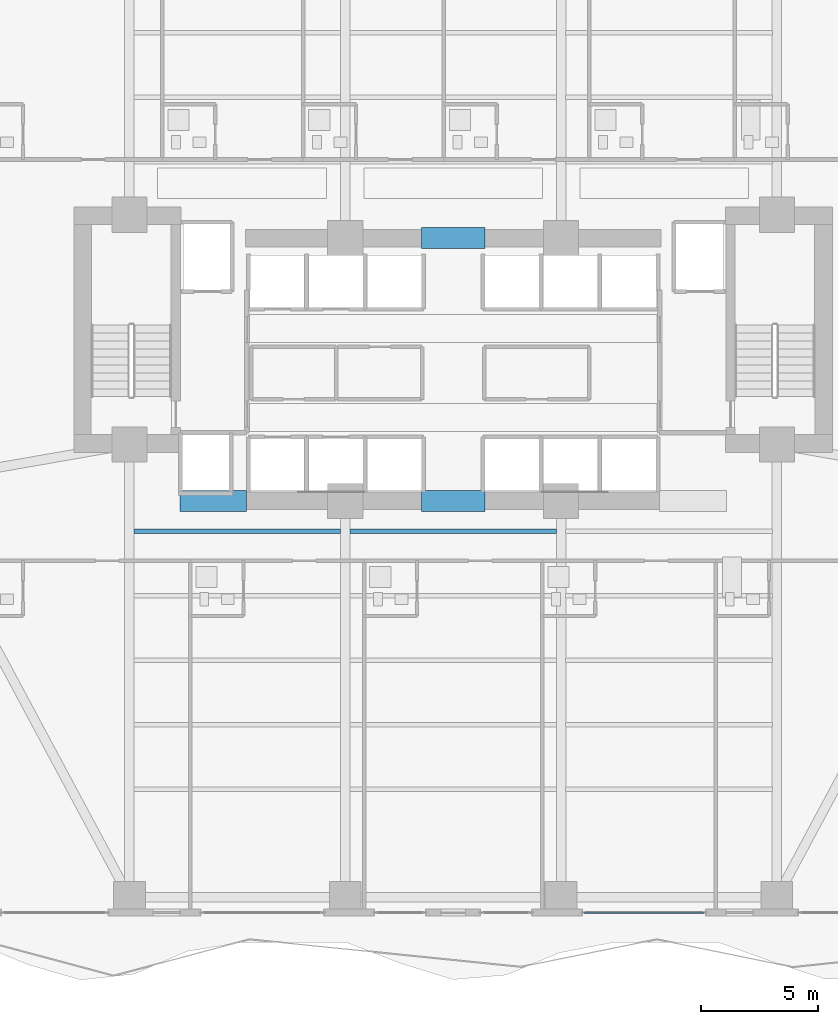
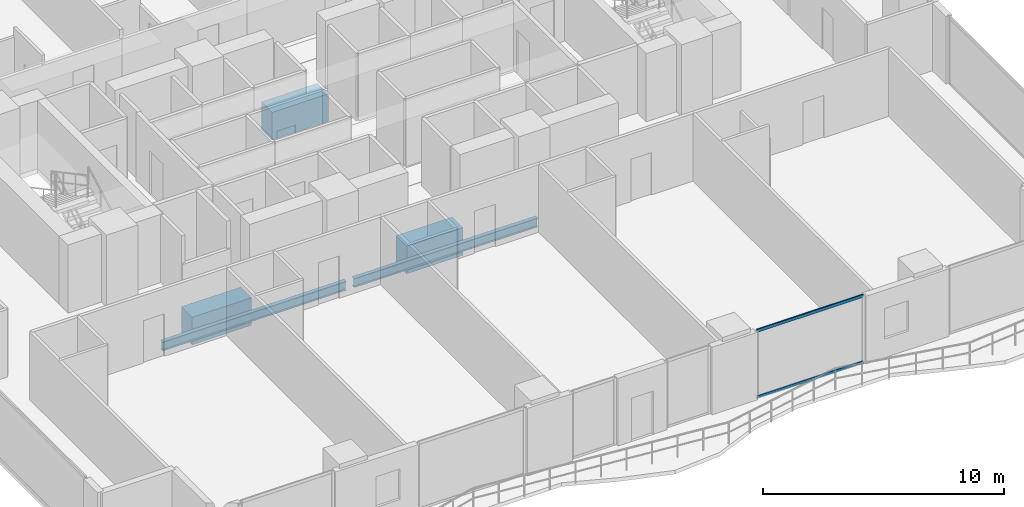
# One storey, part 8 of 29: 5 beams, 2 members, 1 element without a shape of its own.
"""IFC4 building model written with IfcOpenShell, lengths in metres."""

from ifc_helpers import new_model, si_unit, direction, frame, origin, origin_2d, place, context, subcontext, project, spatial, rectangle, hollow_rectangle, i_section, extrude, material, layer, layer_set, material_profile, profile_set, type_object, element, aggregate, save


model = new_model("IFC4")

# Units and contexts
model_context = context("Model", 3, precision=1e-05, world=origin(), true_north=direction((0.0, 1.0)))
body_context = subcontext(model_context, "Body", "Model", "MODEL_VIEW")
ifc_project = project(units=[si_unit("LENGTHUNIT", "METRE"), si_unit("AREAUNIT", "SQUARE_METRE"), si_unit("VOLUMEUNIT", "CUBIC_METRE"), si_unit("PLANEANGLEUNIT", "RADIAN"), si_unit("MASSUNIT", "GRAM", prefix="KILO")], contexts=[model_context])

# Site, building, storey
site_placement = place(None, origin())
site = spatial("IfcSite", under=ifc_project, at=site_placement, CompositionType="ELEMENT")
building_placement = place(site_placement, origin())
building = spatial("IfcBuilding", under=site, at=building_placement, Name="Zuhayl Quay Hotel", CompositionType="ELEMENT")
storey_placement = place(building_placement, frame((0.0, 0.0, 95.64990234375)))
storey = spatial("IfcBuildingStorey", under=building, at=storey_placement, Name="L23", CompositionType="ELEMENT", Elevation=95.64990234375)

# Beams
ifc_material_1 = material(Name="Concrete C60/75", Category="concrete")
ifc_material_profile_1 = material_profile(ifc_material_1, rectangle(XDim=0.89990234375, YDim=1.39990234375, at=origin_2d()), Name="RC900X1400")
ifc_profile_set_1 = profile_set([ifc_material_profile_1], Name="Concrete C60/75")
beam_type_1 = type_object("IfcBeamType", Name="BM_CB1_RC900", PredefinedType="T_BEAM", material=ifc_profile_set_1)
beam_placement = place(storey_placement, frame((-11.64990234375, 2.14990234375, -0.9599609375), z_axis=(1.0, 0.0, 0.0), x_axis=(0.0, 1.0, 0.0)))
element("IfcBeam", 1, at=beam_placement, inside=storey, type_object=beam_type_1, Name="L23 Core Coupling Beam SW", PredefinedType="T_BEAM", context=body_context, shape_type="SweptSolid", body=[
    extrude(rectangle(XDim=0.89990234375, YDim=1.39990234375, at=origin_2d()), origin(), (0.0, 0.0, 1.0), 2.849853515625),
])
for number, where, z_axis, x_axis, name in (
    (2, (-1.35009765625, 13.35009765625, -0.9599609375), (1.0, 0.0, 0.0), (0.0, 1.0, 0.0), "L23 Core Coupling Beam North"),
    (3, (-1.35009765625, 2.14990234375, -0.9599609375), (1.0, 0.0, 0.0), (0.0, 1.0, 0.0), "L23 Core Coupling Beam South"),
):
    element("IfcBeam", number, at=place(storey_placement, frame(where, z_axis=z_axis, x_axis=x_axis)), inside=storey, type_object=beam_type_1, Name=name, PredefinedType="T_BEAM", context=body_context, shape_type="SweptSolid", body=[
        extrude(rectangle(XDim=0.89990234375, YDim=1.39990234375, at=origin_2d()), origin(), (0.0, 0.0, 1.0), 2.7001953125),
    ])
ifc_material_2 = material(Name="Steel ASTM A992 Grade 50", Category="steel")
ifc_material_profile_2 = material_profile(ifc_material_2, i_section(OverallWidth=0.18994140625, OverallDepth=0.45703125, WebThickness=0.009033203125, FlangeThickness=0.014404296875, at=origin_2d()), Name="W18X50")
ifc_profile_set_2 = profile_set([ifc_material_profile_2], Name="Steel ASTM A992 Grade 50")
beam_type_2 = type_object("IfcBeamType", Name="BM_J2_W18X50", PredefinedType="JOIST", material=ifc_profile_set_2)
for number, where, z_axis, x_axis, name in (
    (4, (-13.60595703125, 0.85009765625, -0.48828125), (1.0, 0.0, 0.0), (0.0, 1.0, 0.0), "L23 Floor Beam FJ_L23_9_1"),
    (5, (-4.406005859375, 0.85009765625, -0.48828125), (1.0, 0.0, 0.0), (0.0, 1.0, 0.0), "L23 Floor Beam FJ_L23_9_2"),
):
    element("IfcBeam", number, at=place(storey_placement, frame(where, z_axis=z_axis, x_axis=x_axis)), inside=storey, type_object=beam_type_2, Name=name, PredefinedType="JOIST", context=body_context, shape_type="SweptSolid", body=[
        extrude(i_section(OverallWidth=0.18994140625, OverallDepth=0.45703125, WebThickness=0.009033203125, FlangeThickness=0.014404296875, at=origin_2d()), origin(), (0.0, 0.0, 1.0), 8.81201171875),
    ])

# Curtain wall, members
ifc_material_3 = material(Name="Anodised Aluminium 6063-T6", Category="aluminium")
ifc_layer = layer(ifc_material_3, 0.179931640625, Name="Anodised Aluminium 6063-T6", Category="aluminium")
ifc_layer_set = layer_set([ifc_layer], Name="Anodised Aluminium 6063-T6")
curtain_wall_type = type_object("IfcCurtainWallType", Name="CW_SYS_Z2", PredefinedType="USERDEFINED", material=ifc_layer_set)
curtain_wall_placement = place(storey_placement, origin())
curtain_wall = element("IfcCurtainWall", 6, at=curtain_wall_placement, inside=storey, type_object=curtain_wall_type, Name="L23 Curtain Wall ENV_L23_S_CW2", ObjectType="UNITISED CURTAIN WALL", PredefinedType="USERDEFINED")
ifc_material_4 = material(Name="Black-anodised aluminium 6063-T6", Category="aluminium")
ifc_material_profile_3 = material_profile(ifc_material_4, hollow_rectangle(XDim=0.06005859375, YDim=0.14990234375, WallThickness=0.00341796875, at=origin_2d()), Name="ALU150X60")
ifc_profile_set_3 = profile_set([ifc_material_profile_3], Name="Black-anodised aluminium 6063-T6")
member_type = type_object("IfcMemberType", Name="MB_CW_TRN_150", PredefinedType="USERDEFINED", material=ifc_profile_set_3)
member_1_placement = place(storey_placement, frame((10.68505859375, -15.39990234375, 0.030029296875), z_axis=(-1.0, 0.0, 0.0), x_axis=(0.0, -1.0, 0.0)))
member_1 = element("IfcMember", 7, at=member_1_placement, type_object=member_type, Name="CW-Z2 transom 1.1", ObjectType="TRANSOM", PredefinedType="USERDEFINED", context=body_context, shape_type="SweptSolid", body=[
    extrude(hollow_rectangle(XDim=0.06005859375, YDim=0.14990234375, WallThickness=0.00341796875, at=origin_2d()), origin(), (0.0, 0.0, 1.0), 5.10009765625),
])
member_2_placement = place(storey_placement, frame((10.68505859375, -15.39990234375, 3.400146484375), z_axis=(-1.0, 0.0, 0.0), x_axis=(0.0, -1.0, 0.0)))
member_2 = element("IfcMember", 8, at=member_2_placement, type_object=member_type, Name="CW-Z2 transom 1.2", ObjectType="TRANSOM", PredefinedType="USERDEFINED", context=body_context, shape_type="SweptSolid", body=[
    extrude(hollow_rectangle(XDim=0.06005859375, YDim=0.14990234375, WallThickness=0.00341796875, at=origin_2d()), origin(), (0.0, 0.0, 1.0), 5.10009765625),
])
aggregate(curtain_wall, [member_1, member_2])

save(model, "model.ifc")
